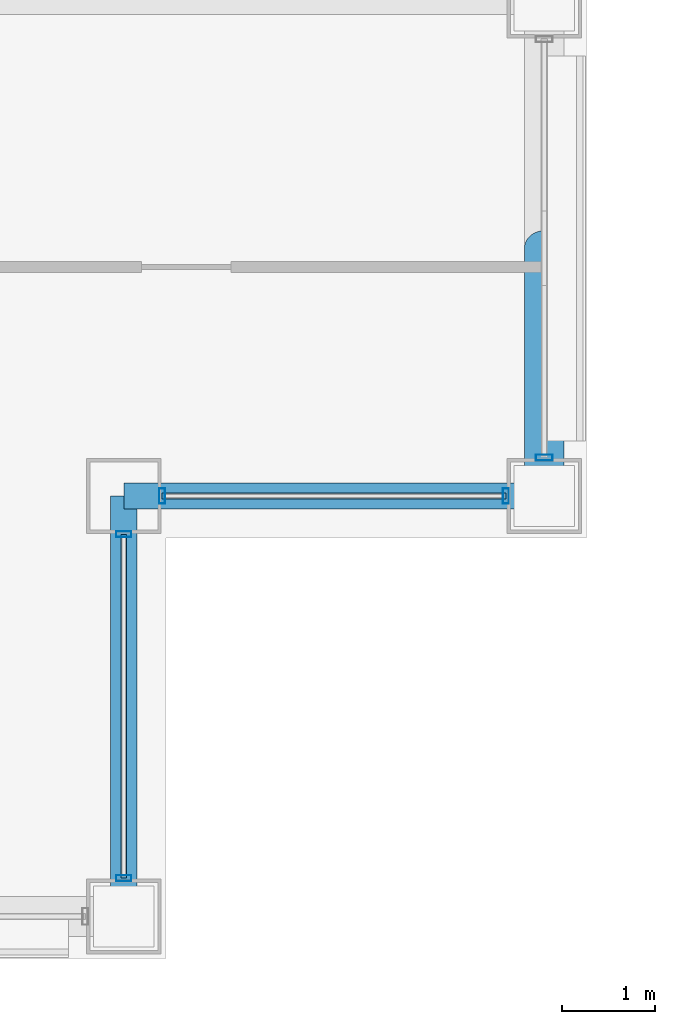
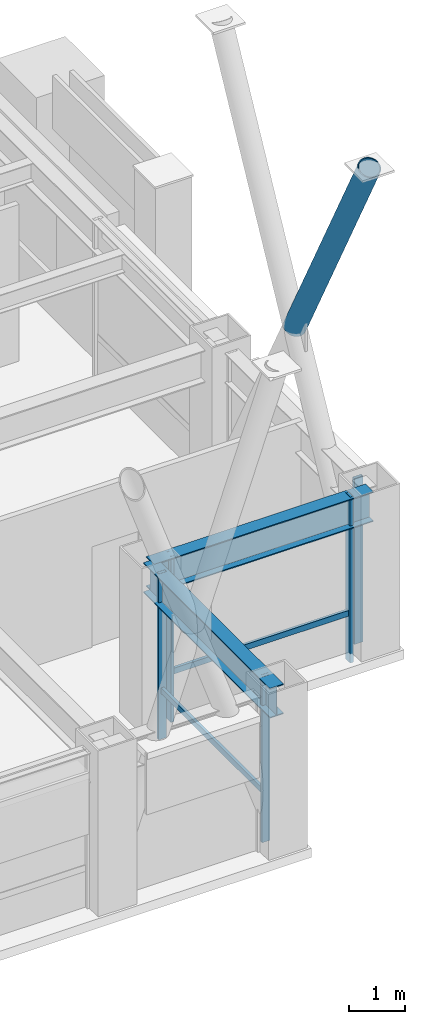
# One storey, part 13 of 35: 8 members, 2 beams, 3 elements without a shape of their own.
"""IFC4 building model written with IfcOpenShell, lengths in metres."""

from ifc_helpers import new_model, si_unit, direction, frame, origin, origin_2d, place, context, subcontext, project, spatial, hollow_rectangle, hollow_circle, i_section, extrude, material, layer, layer_set, material_profile, profile_set, type_object, element, aggregate, save


model = new_model("IFC4")

# Units and contexts
model_context = context("Model", 3, precision=1e-05, world=origin(), true_north=direction((0.0, 1.0)))
body_context = subcontext(model_context, "Body", "Model", "MODEL_VIEW")
ifc_project = project(units=[si_unit("LENGTHUNIT", "METRE"), si_unit("AREAUNIT", "SQUARE_METRE"), si_unit("VOLUMEUNIT", "CUBIC_METRE"), si_unit("PLANEANGLEUNIT", "RADIAN"), si_unit("MASSUNIT", "GRAM", prefix="KILO")], contexts=[model_context])

# Site, building, storey
site_placement = place(None, origin())
site = spatial("IfcSite", under=ifc_project, at=site_placement, CompositionType="ELEMENT")
building_placement = place(site_placement, origin())
building = spatial("IfcBuilding", under=site, at=building_placement, Name="Brelmoor Portico Tower", CompositionType="ELEMENT")
storey_placement = place(building_placement, frame((0.0, 0.0, 131.39990234375)))
storey = spatial("IfcBuildingStorey", under=building, at=storey_placement, Name="L34", CompositionType="ELEMENT", Elevation=131.39990234375)

# Beams
ifc_material_1 = material(Name="Steel Q355B", Category="steel")
ifc_material_profile_1 = material_profile(ifc_material_1, i_section(OverallWidth=0.280029296875, OverallDepth=0.64990234375, WebThickness=0.012939453125, FlangeThickness=0.02197265625, at=origin_2d()), Name="HN 650x280x13x22")
ifc_profile_set_1 = profile_set([ifc_material_profile_1], Name="Steel Q355B")
beam_type = type_object("IfcBeamType", Name="BM-SP-650", PredefinedType="SPANDREL", material=ifc_profile_set_1)
for number, where, z_axis, x_axis, name in (
    (1, (18.050048828125, -15.050048828125, 3.0751953125), (1.0, 0.0, 0.0), (0.0, 1.0, 0.0), "L34 Perimeter Spandrel Beam SP-07"),
    (2, (18.050048828125, -19.550048828125, 3.0751953125), (0.0, 1.0, 0.0), (-1.0, 0.0, 0.0), "L34 Perimeter Spandrel Beam SP-20"),
):
    element("IfcBeam", number, at=place(storey_placement, frame(where, z_axis=z_axis, x_axis=x_axis)), inside=storey, type_object=beam_type, Name=name, PredefinedType="SPANDREL", context=body_context, shape_type="SweptSolid", body=[
        extrude(i_section(OverallWidth=0.280029296875, OverallDepth=0.64990234375, WebThickness=0.012939453125, FlangeThickness=0.02197265625, at=origin_2d()), origin(), (0.0, 0.0, 1.0), 4.5),
    ])

# Member
ifc_material_profile_2 = material_profile(ifc_material_1, hollow_circle(Radius=0.212890625, WallThickness=0.02001953125, at=origin_2d()), Name="CHS 426x20")
ifc_profile_set_2 = profile_set([ifc_material_profile_2], Name="Steel Q355B")
member_type_1 = type_object("IfcMemberType", Name="MB-BELT-DIAG1", PredefinedType="BRACE", material=ifc_profile_set_2)
member_1_placement = place(storey_placement, frame((22.550048828125, -12.39990234375, 5.300048828125), z_axis=(0.0, -0.464678684729, 0.885479372972), x_axis=(1.0, 0.0, 0.0)))
element("IfcMember", 3, at=member_1_placement, inside=storey, type_object=member_type_1, Name="L34 Split Mega-X Brace 082B2", PredefinedType="BRACE", context=body_context, shape_type="SweptSolid", body=[
    extrude(hollow_circle(Radius=0.212890625, WallThickness=0.02001953125, at=origin_2d()), origin(), (0.0, 0.0, 1.0), 5.703125),
])

# Curtain wall, members
ifc_material_2 = material(Name="Anodised Aluminium Alloy 6063-T6", Category="aluminium")
ifc_layer_1 = layer(ifc_material_2, 0.179931640625)
ifc_layer_set_1 = layer_set([ifc_layer_1], Name="Anodised Aluminium Alloy 6063-T6")
curtain_wall_type_1 = type_object("IfcCurtainWallType", Name="CW-NOTCH-CHAMFER", PredefinedType="NOTDEFINED", material=ifc_layer_set_1)
curtain_wall_1_placement = place(storey_placement, origin())
curtain_wall_1 = element("IfcCurtainWall", 4, at=curtain_wall_1_placement, inside=storey, type_object=curtain_wall_type_1, Name="L34 Curtain Wall CWN-L34-SEH", PredefinedType="NOTDEFINED")
ifc_material_profile_3 = material_profile(ifc_material_2, hollow_rectangle(XDim=0.06494140625, YDim=0.1650390625, WallThickness=0.00390625, at=origin_2d()), Name="ALU MULLION 65x165")
ifc_profile_set_3 = profile_set([ifc_material_profile_3], Name="Anodised Aluminium Alloy 6063-T6")
member_type_2 = type_object("IfcMemberType", Name="MB-CW-MULL-165", PredefinedType="MULLION", material=ifc_profile_set_3)
member_2_placement = place(storey_placement, frame((18.4599609375, -15.050048828125, -0.199951171875), z_axis=(0.0, 0.0, 1.0), x_axis=(1.0, 0.0, 0.0)))
member_2 = element("IfcMember", 5, at=member_2_placement, type_object=member_type_2, Name="CWN-L34-SEH Mullion 00", PredefinedType="MULLION", context=body_context, shape_type="SweptSolid", body=[
    extrude(hollow_rectangle(XDim=0.06494140625, YDim=0.1650390625, WallThickness=0.00390625, at=origin_2d()), origin(), (0.0, 0.0, 1.0), 3.60009765625),
])
member_3_placement = place(storey_placement, frame((22.139892578125, -15.050048828125, -0.199951171875), z_axis=(0.0, 0.0, 1.0), x_axis=(1.0, 0.0, 0.0)))
member_3 = element("IfcMember", 6, at=member_3_placement, type_object=member_type_2, Name="CWN-L34-SEH Mullion 01", PredefinedType="MULLION", context=body_context, shape_type="SweptSolid", body=[
    extrude(hollow_rectangle(XDim=0.06494140625, YDim=0.1650390625, WallThickness=0.00390625, at=origin_2d()), origin(), (0.0, 0.0, 1.0), 3.60009765625),
])

curtain_wall_2_placement = place(storey_placement, origin())
curtain_wall_2 = element("IfcCurtainWall", 7, at=curtain_wall_2_placement, inside=storey, type_object=curtain_wall_type_1, Name="L34 Curtain Wall CWN-L34-SEV", PredefinedType="NOTDEFINED")
member_4_placement = place(storey_placement, frame((18.050048828125, -19.139892578125, -0.199951171875), z_axis=(0.0, 0.0, 1.0), x_axis=(0.0, 1.0, 0.0)))
member_4 = element("IfcMember", 8, at=member_4_placement, type_object=member_type_2, Name="CWN-L34-SEV Mullion 00", PredefinedType="MULLION", context=body_context, shape_type="SweptSolid", body=[
    extrude(hollow_rectangle(XDim=0.06494140625, YDim=0.1650390625, WallThickness=0.00390625, at=origin_2d()), origin(), (0.0, 0.0, 1.0), 3.60009765625),
])
member_5_placement = place(storey_placement, frame((18.050048828125, -15.4599609375, -0.199951171875), z_axis=(0.0, 0.0, 1.0), x_axis=(0.0, 1.0, 0.0)))
member_5 = element("IfcMember", 9, at=member_5_placement, type_object=member_type_2, Name="CWN-L34-SEV Mullion 01", PredefinedType="MULLION", context=body_context, shape_type="SweptSolid", body=[
    extrude(hollow_rectangle(XDim=0.06494140625, YDim=0.1650390625, WallThickness=0.00390625, at=origin_2d()), origin(), (0.0, 0.0, 1.0), 3.60009765625),
])

# Curtain wall, member
ifc_layer_2 = layer(ifc_material_2, 0.179931640625)
ifc_layer_set_2 = layer_set([ifc_layer_2], Name="Anodised Aluminium Alloy 6063-T6")
curtain_wall_type_2 = type_object("IfcCurtainWallType", Name="CW-TOWER-Z2-XB", PredefinedType="NOTDEFINED", material=ifc_layer_set_2)
curtain_wall_3_placement = place(storey_placement, origin())
curtain_wall_3 = element("IfcCurtainWall", 10, at=curtain_wall_3_placement, inside=storey, type_object=curtain_wall_type_2, Name="L34 Curtain Wall CW-L34-4L-1", PredefinedType="NOTDEFINED")
ifc_material_profile_4 = material_profile(ifc_material_2, hollow_rectangle(XDim=0.06494140625, YDim=0.179931640625, WallThickness=0.00390625, at=origin_2d()), Name="ALU MULLION 65x180")
ifc_profile_set_4 = profile_set([ifc_material_profile_4], Name="Anodised Aluminium Alloy 6063-T6")
member_type_3 = type_object("IfcMemberType", Name="MB-CW-MULL-180", PredefinedType="MULLION", material=ifc_profile_set_4)
member_6_placement = place(storey_placement, frame((22.550048828125, -14.639892578125, -0.199951171875), z_axis=(0.0, 0.0, 1.0), x_axis=(0.0, 1.0, 0.0)))
member_6 = element("IfcMember", 11, at=member_6_placement, type_object=member_type_3, Name="CW-L34-4L-1 Mullion 00", PredefinedType="MULLION", context=body_context, shape_type="SweptSolid", body=[
    extrude(hollow_rectangle(XDim=0.06494140625, YDim=0.179931640625, WallThickness=0.00390625, at=origin_2d()), origin(), (0.0, 0.0, 1.0), 3.60009765625),
])
aggregate(curtain_wall_3, [member_6])

# Member
ifc_material_profile_5 = material_profile(ifc_material_2, hollow_rectangle(XDim=0.06005859375, YDim=0.125, WallThickness=0.00341796875, at=origin_2d()), Name="ALU TRANSOM 60x125")
ifc_profile_set_5 = profile_set([ifc_material_profile_5], Name="Anodised Aluminium Alloy 6063-T6")
member_type_4 = type_object("IfcMemberType", Name="MB-CW-TRAN-125", PredefinedType="USERDEFINED", material=ifc_profile_set_5)
member_7_placement = place(storey_placement, frame((18.4599609375, -15.050048828125, 0.85009765625), z_axis=(1.0, 0.0, 0.0), x_axis=(0.0, 1.0, 0.0)))
member_7 = element("IfcMember", 12, at=member_7_placement, type_object=member_type_4, Name="CWN-L34-SEH Transom 1-00", ObjectType="TRANSOM", PredefinedType="USERDEFINED", context=body_context, shape_type="SweptSolid", body=[
    extrude(hollow_rectangle(XDim=0.06005859375, YDim=0.125, WallThickness=0.00341796875, at=origin_2d()), origin(), (0.0, 0.0, 1.0), 3.679931640625),
])

aggregate(curtain_wall_1, [member_2, member_3, member_7])

member_8_placement = place(storey_placement, frame((18.050048828125, -19.139892578125, 0.85009765625), z_axis=(0.0, 1.0, 0.0), x_axis=(-1.0, 0.0, 0.0)))
member_8 = element("IfcMember", 13, at=member_8_placement, type_object=member_type_4, Name="CWN-L34-SEV Transom 1-00", ObjectType="TRANSOM", PredefinedType="USERDEFINED", context=body_context, shape_type="SweptSolid", body=[
    extrude(hollow_rectangle(XDim=0.06005859375, YDim=0.125, WallThickness=0.00341796875, at=origin_2d()), origin(), (0.0, 0.0, 1.0), 3.679931640625),
])

aggregate(curtain_wall_2, [member_4, member_5, member_8])

save(model, "model.ifc")
